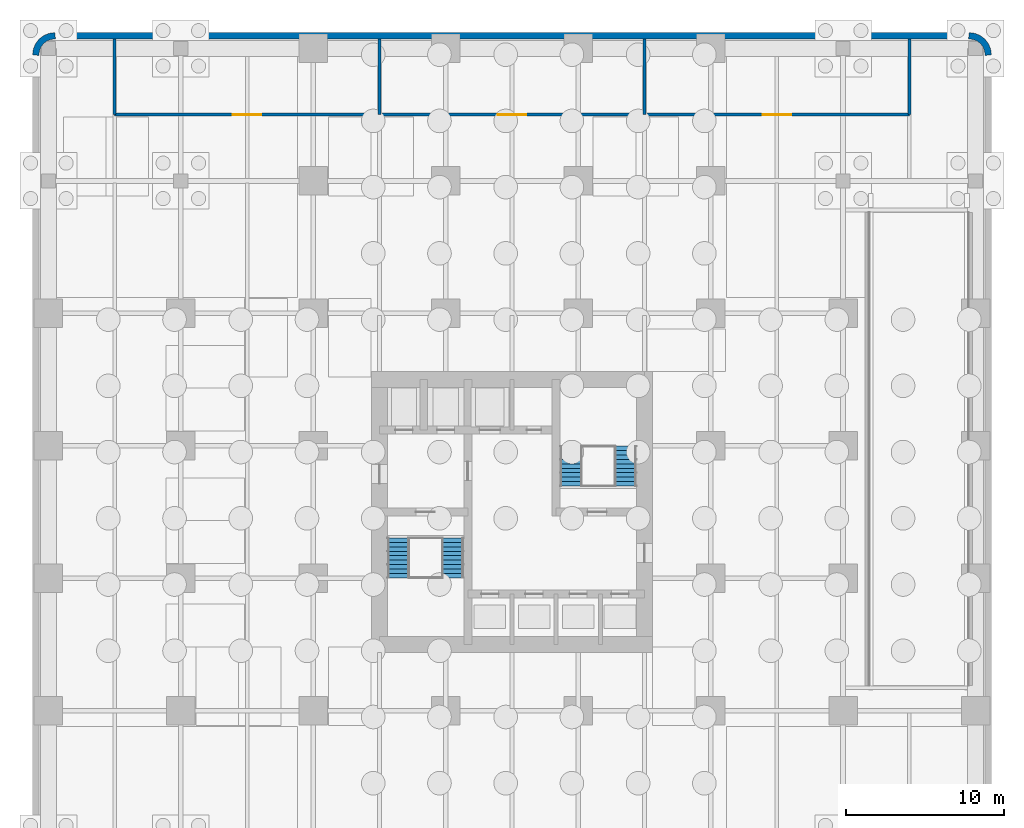
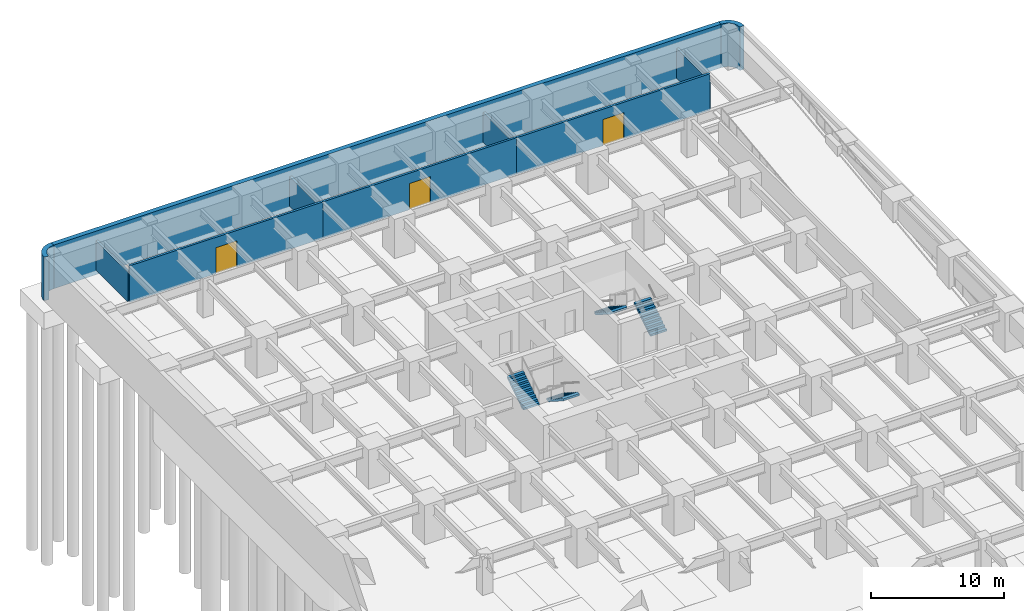
# One storey, part 7 of 11: 10 walls, 4 stair flights, 3 doors, 3 openings, 2 elements without a shape of their own.
"""IFC4 building model written with IfcOpenShell, lengths in metres."""

from ifc_helpers import new_model, si_unit, direction, frame, frame_2d, origin, place, context, subcontext, project, spatial, polyline, rectangle, outline, extrude, material, layer, layer_set, type_object, element, fill, aggregate, save


model = new_model("IFC4")

# Units and contexts
model_context = context("Model", 3, precision=1e-05, world=origin(), true_north=direction((0.0, 1.0)))
body_context = subcontext(model_context, "Body", "Model", "MODEL_VIEW")
ifc_project = project(units=[si_unit("LENGTHUNIT", "METRE"), si_unit("AREAUNIT", "SQUARE_METRE"), si_unit("VOLUMEUNIT", "CUBIC_METRE"), si_unit("PLANEANGLEUNIT", "RADIAN"), si_unit("MASSUNIT", "GRAM", prefix="KILO")], contexts=[model_context])

# Site, building, storey
site_placement = place(None, origin())
site = spatial("IfcSite", under=ifc_project, at=site_placement, CompositionType="ELEMENT")
building_placement = place(site_placement, origin())
building = spatial("IfcBuilding", under=site, at=building_placement, Name="Torre Alcanfor", CompositionType="ELEMENT")
storey_placement = place(building_placement, frame((0.0, 0.0, -7.199951171875)))
storey = spatial("IfcBuildingStorey", under=building, at=storey_placement, Name="B2", CompositionType="ELEMENT", Elevation=-7.199951171875)

# Walls
ifc_material_1 = material(Name="Concrete f'c 70 MPa", Category="concrete")
ifc_layer_1 = layer(ifc_material_1, 0.39990234375)
ifc_layer_set_1 = layer_set([ifc_layer_1], Name="Basement retaining wall 400")
wall_type_1 = type_object("IfcWallType", Name="Basement retaining wall 400", PredefinedType="SOLIDWALL", material=ifc_layer_set_1)
wall_1_placement = place(storey_placement, frame((58.39990234375, 59.60009765625, -0.400146484375), z_axis=(0.0, 0.0, 1.0), x_axis=(-1.0, 0.0, 0.0)))
element("IfcWall", 1, at=wall_1_placement, inside=storey, type_object=wall_type_1, Name="Retaining wall B2 2", PredefinedType="SOLIDWALL", context=body_context, shape_type="SweptSolid", body=[
    extrude(rectangle(XDim=58.0, YDim=0.39990234375, at=frame_2d((29.0, 0.0))), origin(), (0.0, 0.0, 1.0), 4.0),
])
wall_2_placement = place(storey_placement, frame((0.0, 0.0, -0.400146484375)))
element("IfcWall", 2, at=wall_2_placement, inside=storey, type_object=wall_type_1, Name="Retaining wall corner B2 5", PredefinedType="SOLIDWALL", context=body_context, shape_type="SweptSolid", body=[
    extrude(outline(polyline([(58.39990234375, 59.800048828125), (58.347412109375, 59.39990234375), (58.373779296875, 59.39990234375), (58.657958984375, 59.362548828125), (58.898193359375, 59.262939453125), (59.1044921875, 59.1044921875), (59.262939453125, 58.898193359375), (59.362548828125, 58.657958984375), (59.39990234375, 58.373779296875), (59.39990234375, 58.347412109375), (59.800048828125, 58.39990234375), (59.752197265625, 58.76220703125), (59.6123046875, 59.10009765625), (59.389892578125, 59.389892578125), (59.10009765625, 59.6123046875), (58.76220703125, 59.752197265625), (58.39990234375, 59.800048828125)])), origin(), (0.0, 0.0, 1.0), 4.0),
])
wall_3_placement = place(storey_placement, frame((0.0, 0.0, -0.400146484375)))
element("IfcWall", 3, at=wall_3_placement, inside=storey, type_object=wall_type_1, Name="Retaining wall corner B2 6", PredefinedType="SOLIDWALL", context=body_context, shape_type="SweptSolid", body=[
    extrude(outline(polyline([(-1.0, 58.39990234375), (-0.60009765625, 58.347412109375), (-0.60009765625, 58.373779296875), (-0.5625, 58.657958984375), (-0.462890625, 58.898193359375), (-0.3046875, 59.1044921875), (-0.09814453125, 59.262939453125), (0.14208984375, 59.362548828125), (0.42626953125, 59.39990234375), (0.45263671875, 59.39990234375), (0.39990234375, 59.800048828125), (0.03759765625, 59.752197265625), (-0.300048828125, 59.6123046875), (-0.58984375, 59.389892578125), (-0.8125, 59.10009765625), (-0.952392578125, 58.76220703125), (-1.0, 58.39990234375)])), origin(), (0.0, 0.0, 1.0), 4.0),
])
ifc_material_2 = material(Name="Concrete block masonry, hollow blocks NMX-C-404 9 MPa", Category="masonry")
ifc_layer_2 = layer(ifc_material_2, 0.199951171875)
ifc_layer_set_2 = layer_set([ifc_layer_2], Name="Plant room wall 200 EI 60")
wall_type_2 = type_object("IfcWallType", Name="Plant room wall 200 EI 60", PredefinedType="PARTITIONING", material=ifc_layer_set_2)
wall_4_placement = place(storey_placement, frame((4.199951171875, 59.39990234375, 0.0), z_axis=(0.0, 0.0, 1.0), x_axis=(0.0, -1.0, 0.0)))
element("IfcWall", 4, at=wall_4_placement, inside=storey, type_object=wall_type_2, Name="Partition B2-PARK / B2-R04", PredefinedType="PARTITIONING", context=body_context, shape_type="SweptSolid", body=[
    extrude(rectangle(XDim=4.7998046875, YDim=0.199951171875, at=frame_2d((2.39990234375, 0.0))), origin(), (0.0, 0.0, 1.0), 2.73779296875),
])

# Wall, opening, door
wall_5_placement = place(storey_placement, frame((4.199951171875, 54.60009765625, 0.0), z_axis=(0.0, 0.0, 1.0), x_axis=(1.0, 0.0, 0.0)))
wall_5 = element("IfcWall", 5, at=wall_5_placement, inside=storey, type_object=wall_type_2, Name="Partition B2-PARK / B2-R04", PredefinedType="PARTITIONING", context=body_context, shape_type="SweptSolid", body=[
    extrude(rectangle(XDim=16.800048828125, YDim=0.199951171875, at=frame_2d((8.39990234375, 0.0))), origin(), (0.0, 0.0, 1.0), 3.349853515625),
])
opening_1_placement = place(wall_5_placement, frame((7.5, 0.0, 0.0)))
opening_1 = element("IfcOpeningElement", 6, at=opening_1_placement, cuts=wall_5, Name="Opening D-P1", PredefinedType="OPENING", context=body_context, shape_type="SweptSolid", body=[
    extrude(rectangle(XDim=1.800048828125, YDim=2.39990234375, at=frame_2d((0.89990234375, 1.199951171875))), frame((0.0, 0.10986328125, 0.0), z_axis=(0.0, -1.0, 0.0), x_axis=(1.0, 0.0, 0.0)), (0.0, 0.0, 1.0), 0.219970703125),
])
ifc_material_3 = material(Name="Galvanised steel sheet ASTM A653", Category="steel")
door_type = type_object("IfcDoorType", Name="Plant room door FD60 1800x2400", OperationType="DOUBLE_DOOR_SINGLE_SWING", PredefinedType="DOOR", material=ifc_material_3)
door_1_placement = place(opening_1_placement, origin())
door_1 = element("IfcDoor", 7, at=door_1_placement, inside=storey, type_object=door_type, Name="Door B2-R04 residents' storage room", OperationType="DOUBLE_DOOR_SINGLE_SWING", OverallHeight=2.39990234375, OverallWidth=1.800048828125, PredefinedType="DOOR", context=body_context, shape_type="SweptSolid", body=[
    extrude(rectangle(XDim=1.800048828125, YDim=2.39990234375, at=frame_2d((0.89990234375, 1.199951171875))), frame((0.0, 0.02490234375, 0.0), z_axis=(0.0, -1.0, 0.0), x_axis=(1.0, 0.0, 0.0)), (0.0, 0.0, 1.0), 0.050048828125),
])
fill(opening_1, door_1)

wall_6_placement = place(storey_placement, frame((21.0, 54.60009765625, 0.0), z_axis=(0.0, 0.0, 1.0), x_axis=(1.0, 0.0, 0.0)))
wall_6 = element("IfcWall", 8, at=wall_6_placement, inside=storey, type_object=wall_type_2, Name="Partition B2-PARK / B2-R05", PredefinedType="PARTITIONING", context=body_context, shape_type="SweptSolid", body=[
    extrude(rectangle(XDim=16.800048828125, YDim=0.199951171875, at=frame_2d((8.39990234375, 0.0))), origin(), (0.0, 0.0, 1.0), 3.349853515625),
])
opening_2_placement = place(wall_6_placement, frame((7.5, 0.0, 0.0)))
opening_2 = element("IfcOpeningElement", 9, at=opening_2_placement, cuts=wall_6, Name="Opening D-P1", PredefinedType="OPENING", context=body_context, shape_type="SweptSolid", body=[
    extrude(rectangle(XDim=1.800048828125, YDim=2.39990234375, at=frame_2d((0.89990234375, 1.199951171875))), frame((0.0, 0.10986328125, 0.0), z_axis=(0.0, -1.0, 0.0), x_axis=(1.0, 0.0, 0.0)), (0.0, 0.0, 1.0), 0.219970703125),
])
door_2_placement = place(opening_2_placement, origin())
door_2 = element("IfcDoor", 10, at=door_2_placement, inside=storey, type_object=door_type, Name="Door B2-R05 residents' storage room", OperationType="DOUBLE_DOOR_SINGLE_SWING", OverallHeight=2.39990234375, OverallWidth=1.800048828125, PredefinedType="DOOR", context=body_context, shape_type="SweptSolid", body=[
    extrude(rectangle(XDim=1.800048828125, YDim=2.39990234375, at=frame_2d((0.89990234375, 1.199951171875))), frame((0.0, 0.02490234375, 0.0), z_axis=(0.0, -1.0, 0.0), x_axis=(1.0, 0.0, 0.0)), (0.0, 0.0, 1.0), 0.050048828125),
])
fill(opening_2, door_2)

wall_7_placement = place(storey_placement, frame((37.800048828125, 54.60009765625, 0.0), z_axis=(0.0, 0.0, 1.0), x_axis=(1.0, 0.0, 0.0)))
wall_7 = element("IfcWall", 11, at=wall_7_placement, inside=storey, type_object=wall_type_2, Name="Partition B2-PARK / B2-R06", PredefinedType="PARTITIONING", context=body_context, shape_type="SweptSolid", body=[
    extrude(rectangle(XDim=16.800048828125, YDim=0.199951171875, at=frame_2d((8.39990234375, 0.0))), origin(), (0.0, 0.0, 1.0), 3.349853515625),
])
opening_3_placement = place(wall_7_placement, frame((7.5, 0.0, 0.0)))
opening_3 = element("IfcOpeningElement", 12, at=opening_3_placement, cuts=wall_7, Name="Opening D-P1", PredefinedType="OPENING", context=body_context, shape_type="SweptSolid", body=[
    extrude(rectangle(XDim=1.800048828125, YDim=2.39990234375, at=frame_2d((0.89990234375, 1.199951171875))), frame((0.0, 0.10986328125, 0.0), z_axis=(0.0, -1.0, 0.0), x_axis=(1.0, 0.0, 0.0)), (0.0, 0.0, 1.0), 0.219970703125),
])
door_3_placement = place(opening_3_placement, origin())
door_3 = element("IfcDoor", 13, at=door_3_placement, inside=storey, type_object=door_type, Name="Door B2-R06 school storage room", OperationType="DOUBLE_DOOR_SINGLE_SWING", OverallHeight=2.39990234375, OverallWidth=1.800048828125, PredefinedType="DOOR", context=body_context, shape_type="SweptSolid", body=[
    extrude(rectangle(XDim=1.800048828125, YDim=2.39990234375, at=frame_2d((0.89990234375, 1.199951171875))), frame((0.0, 0.02490234375, 0.0), z_axis=(0.0, -1.0, 0.0), x_axis=(1.0, 0.0, 0.0)), (0.0, 0.0, 1.0), 0.050048828125),
])
fill(opening_3, door_3)

# Walls
for number, where, z_axis, x_axis, name in (
    (14, (54.60009765625, 54.60009765625, 0.0), (0.0, 0.0, 1.0), (0.0, 1.0, 0.0), "Partition B2-PARK / B2-R06"),
    (15, (21.0, 59.39990234375, 0.0), (0.0, 0.0, 1.0), (0.0, -1.0, 0.0), "Partition B2-R04 / B2-R05"),
    (16, (37.800048828125, 59.39990234375, 0.0), (0.0, 0.0, 1.0), (0.0, -1.0, 0.0), "Partition B2-R05 / B2-R06"),
):
    element("IfcWall", number, at=place(storey_placement, frame(where, z_axis=z_axis, x_axis=x_axis)), inside=storey, type_object=wall_type_2, Name=name, PredefinedType="PARTITIONING", context=body_context, shape_type="SweptSolid", body=[
        extrude(rectangle(XDim=4.7998046875, YDim=0.199951171875, at=frame_2d((2.39990234375, 0.0))), origin(), (0.0, 0.0, 1.0), 2.73779296875),
    ])

# Stair, stair flights
ifc_material_4 = material(Name="Concrete f'c 35 MPa", Category="concrete")
stair_type_1 = type_object("IfcStairType", Name="Exit stair S1 1400 wide", PredefinedType="HALF_TURN_STAIR", material=ifc_material_4)
stair_1_placement = place(storey_placement, origin())
stair_1 = element("IfcStair", 17, at=stair_1_placement, inside=storey, type_object=stair_type_1, Name="Stair S1 B2 to B1", PredefinedType="HALF_TURN_STAIR")
ifc_material_5 = material(Name="Concrete f'c 35 MPa", Category="concrete")
stair_flight_type = type_object("IfcStairFlightType", Name="Stair flight 1400", PredefinedType="STRAIGHT", material=ifc_material_5)
stair_flight_1_placement = place(storey_placement, frame((25.64990234375, 27.75, 0.0), z_axis=(0.0, 0.0, 1.0), x_axis=(0.0, -1.0, 0.0)))
stair_flight_1 = element("IfcStairFlight", 18, at=stair_flight_1_placement, type_object=stair_flight_type, Name="S1 flight 1", NumberOfRisers=10, NumberOfTreads=9, PredefinedType="STRAIGHT", RiserHeight=0.18, TreadLength=0.28, context=body_context, shape_type="SweptSolid", body=[
    extrude(outline(polyline([(0.0, 0.0), (0.0, 0.179931640625), (0.280029296875, 0.179931640625), (0.280029296875, 0.360107421875), (0.56005859375, 0.360107421875), (0.56005859375, 0.5400390625), (0.840087890625, 0.5400390625), (0.840087890625, 0.719970703125), (1.1201171875, 0.719970703125), (1.1201171875, 0.89990234375), (1.39990234375, 0.89990234375), (1.39990234375, 1.080078125), (1.679931640625, 1.080078125), (1.679931640625, 1.260009765625), (1.9599609375, 1.260009765625), (1.9599609375, 1.43994140625), (2.239990234375, 1.43994140625), (2.239990234375, 1.6201171875), (2.52001953125, 1.6201171875), (2.52001953125, 1.800048828125), (2.52001953125, 1.44189453125), (0.277099609375, 0.0), (0.0, 0.0)])), frame((0.0, 0.699951171875, 0.0), z_axis=(0.0, -1.0, 0.0), x_axis=(1.0, 0.0, 0.0)), (0.0, 0.0, 1.0), 1.39990234375),
])
stair_flight_2_placement = place(storey_placement, frame((22.199951171875, 25.22998046875, 1.800048828125), z_axis=(0.0, 0.0, 1.0), x_axis=(0.0, 1.0, 0.0)))
stair_flight_2 = element("IfcStairFlight", 19, at=stair_flight_2_placement, type_object=stair_flight_type, Name="S1 flight 2", NumberOfRisers=10, NumberOfTreads=9, PredefinedType="STRAIGHT", RiserHeight=0.18, TreadLength=0.28, context=body_context, shape_type="SweptSolid", body=[
    extrude(outline(polyline([(0.0, 0.0), (0.0, 0.179931640625), (0.280029296875, 0.179931640625), (0.280029296875, 0.360107421875), (0.56005859375, 0.360107421875), (0.56005859375, 0.5400390625), (0.840087890625, 0.5400390625), (0.840087890625, 0.719970703125), (1.1201171875, 0.719970703125), (1.1201171875, 0.89990234375), (1.39990234375, 0.89990234375), (1.39990234375, 1.080078125), (1.679931640625, 1.080078125), (1.679931640625, 1.260009765625), (1.9599609375, 1.260009765625), (1.9599609375, 1.43994140625), (2.239990234375, 1.43994140625), (2.239990234375, 1.6201171875), (2.52001953125, 1.6201171875), (2.52001953125, 1.800048828125), (2.52001953125, 1.44189453125), (0.277099609375, 0.0), (0.0, 0.0)])), frame((0.0, 0.699951171875, 0.0), z_axis=(0.0, -1.0, 0.0), x_axis=(1.0, 0.0, 0.0)), (0.0, 0.0, 1.0), 1.39990234375),
])
aggregate(stair_1, [stair_flight_1, stair_flight_2])

ifc_material_6 = material(Name="Concrete f'c 35 MPa", Category="concrete")
stair_type_2 = type_object("IfcStairType", Name="Exit stair S2 1400 wide", PredefinedType="HALF_TURN_STAIR", material=ifc_material_6)
stair_2_placement = place(storey_placement, origin())
stair_2 = element("IfcStair", 20, at=stair_2_placement, inside=storey, type_object=stair_type_2, Name="Stair S2 B2 to B1", PredefinedType="HALF_TURN_STAIR")
stair_flight_3_placement = place(storey_placement, frame((36.60009765625, 31.050048828125, 0.0), z_axis=(0.0, 0.0, 1.0), x_axis=(0.0, 1.0, 0.0)))
stair_flight_3 = element("IfcStairFlight", 21, at=stair_flight_3_placement, type_object=stair_flight_type, Name="S2 flight 1", NumberOfRisers=10, NumberOfTreads=9, PredefinedType="STRAIGHT", RiserHeight=0.18, TreadLength=0.28, context=body_context, shape_type="SweptSolid", body=[
    extrude(outline(polyline([(0.0, 0.0), (0.0, 0.179931640625), (0.280029296875, 0.179931640625), (0.280029296875, 0.360107421875), (0.56005859375, 0.360107421875), (0.56005859375, 0.5400390625), (0.840087890625, 0.5400390625), (0.840087890625, 0.719970703125), (1.1201171875, 0.719970703125), (1.1201171875, 0.89990234375), (1.39990234375, 0.89990234375), (1.39990234375, 1.080078125), (1.679931640625, 1.080078125), (1.679931640625, 1.260009765625), (1.9599609375, 1.260009765625), (1.9599609375, 1.43994140625), (2.239990234375, 1.43994140625), (2.239990234375, 1.6201171875), (2.52001953125, 1.6201171875), (2.52001953125, 1.800048828125), (2.52001953125, 1.44189453125), (0.277099609375, 0.0), (0.0, 0.0)])), frame((0.0, 0.699951171875, 0.0), z_axis=(0.0, -1.0, 0.0), x_axis=(1.0, 0.0, 0.0)), (0.0, 0.0, 1.0), 1.39990234375),
])
stair_flight_4_placement = place(storey_placement, frame((33.14990234375, 33.570068359375, 1.800048828125), z_axis=(0.0, 0.0, 1.0), x_axis=(0.0, -1.0, 0.0)))
stair_flight_4 = element("IfcStairFlight", 22, at=stair_flight_4_placement, type_object=stair_flight_type, Name="S2 flight 2", NumberOfRisers=10, NumberOfTreads=9, PredefinedType="STRAIGHT", RiserHeight=0.18, TreadLength=0.28, context=body_context, shape_type="SweptSolid", body=[
    extrude(outline(polyline([(0.0, 0.0), (0.0, 0.179931640625), (0.280029296875, 0.179931640625), (0.280029296875, 0.360107421875), (0.56005859375, 0.360107421875), (0.56005859375, 0.5400390625), (0.840087890625, 0.5400390625), (0.840087890625, 0.719970703125), (1.1201171875, 0.719970703125), (1.1201171875, 0.89990234375), (1.39990234375, 0.89990234375), (1.39990234375, 1.080078125), (1.679931640625, 1.080078125), (1.679931640625, 1.260009765625), (1.9599609375, 1.260009765625), (1.9599609375, 1.43994140625), (2.239990234375, 1.43994140625), (2.239990234375, 1.6201171875), (2.52001953125, 1.6201171875), (2.52001953125, 1.800048828125), (2.52001953125, 1.44189453125), (0.277099609375, 0.0), (0.0, 0.0)])), frame((0.0, 0.699951171875, 0.0), z_axis=(0.0, -1.0, 0.0), x_axis=(1.0, 0.0, 0.0)), (0.0, 0.0, 1.0), 1.39990234375),
])
aggregate(stair_2, [stair_flight_3, stair_flight_4])

save(model, "model.ifc")
